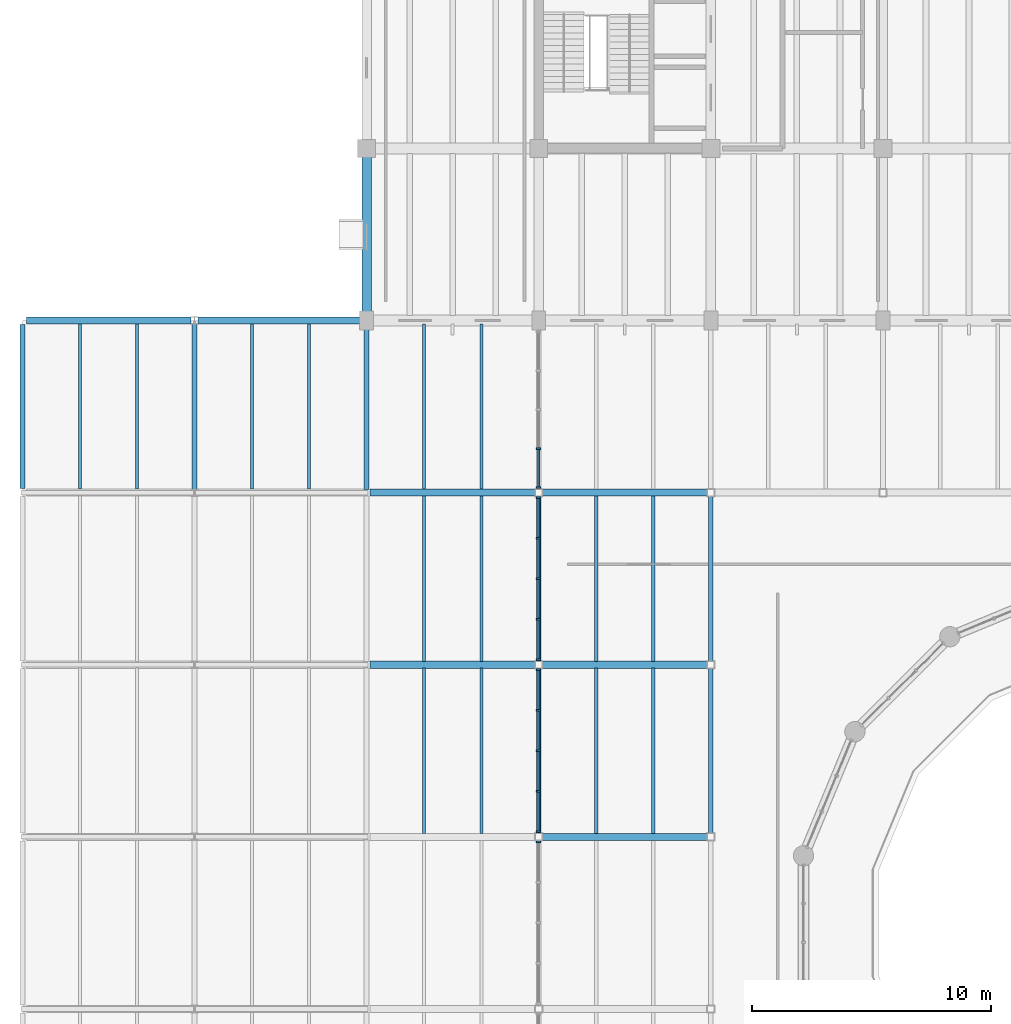
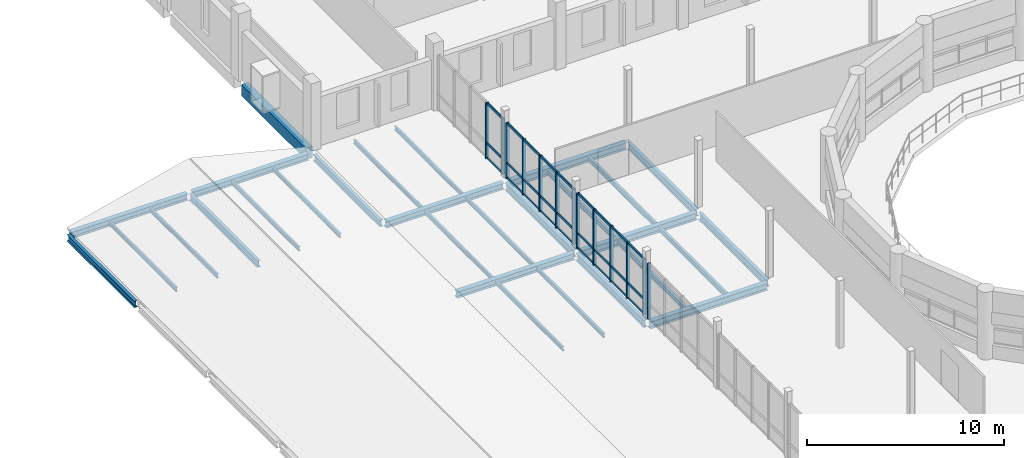
# One storey, part 28 of 63: 40 members, 29 beams, 4 elements without a shape of their own.
"""IFC4 building model written with IfcOpenShell, lengths in metres."""

import ifcopenshell
import ifcopenshell.guid

model = None  # the IFC model being written
_history = None  # IfcOwnerHistory: only IFC2X3 demands one
_inside = {}  # id of a spatial element -> (the spatial element, [elements in it])
_under = {}  # id of a project, library or spatial element -> (it, [spatial elements below it])
_declared = {}  # id of a project -> (the project, [libraries it declares])
_typed = {}  # id of a type object -> (the type object, [elements of that type])
_made_of = {}  # id of a material, layer set ... -> (it, [elements and type objects made of it])


def new_model(schema):
    """Start an empty IFC model of exactly this schema.

    Asked for "IFC4X3", IfcOpenShell would pick the latest addendum, in which some entities
    have other attributes; the version numbers below select the first issue.
    IFC2X3 requires an IfcOwnerHistory on every rooted entity: one is made here for all.
    """
    global model, _history
    if schema == "IFC4X3":
        model = ifcopenshell.file(schema_version=(4, 3, 0, 0))
    else:
        model = ifcopenshell.file(schema=schema)
    _inside.clear()
    _under.clear()
    _declared.clear()
    _typed.clear()
    _made_of.clear()
    _history = None
    if model.schema == "IFC2X3":
        org = make("IfcOrganization", Name="unknown")
        user = make(
            "IfcPersonAndOrganization",
            ThePerson=make("IfcPerson", FamilyName="unknown"),
            TheOrganization=org,
        )
        app = make(
            "IfcApplication",
            ApplicationDeveloper=org,
            Version="unknown",
            ApplicationFullName="unknown",
            ApplicationIdentifier="unknown",
        )
        _history = make(
            "IfcOwnerHistory",
            OwningUser=user,
            OwningApplication=app,
            ChangeAction="ADDED",
            CreationDate=0,
        )
    return model


def make(cls, **values):
    """One entity of the class cls with the attributes given. An attribute that is None is left unset."""
    return model.create_entity(
        cls, **{name: value for name, value in values.items() if value is not None}
    )


def rooted(cls, **values):
    """An entity with a GlobalId (a new one), such as an element, a storey or a relation."""
    return make(cls, GlobalId=ifcopenshell.guid.new(), OwnerHistory=_history, **values)


def si_unit(unit_type, name, prefix=None):
    """IfcSIUnit, for example si_unit("LENGTHUNIT", "METRE", prefix="MILLI")."""
    return make("IfcSIUnit", UnitType=unit_type, Prefix=prefix, Name=name)


def assignment(units):
    """IfcUnitAssignment: the units of a project."""
    return None if units is None else make("IfcUnitAssignment", Units=units)


def point(xyz):
    """IfcCartesianPoint."""
    return None if xyz is None else make("IfcCartesianPoint", Coordinates=xyz)


def direction(xyz):
    """IfcDirection."""
    return None if xyz is None else make("IfcDirection", DirectionRatios=xyz)


def frame(location, z_axis=None, x_axis=None):
    """IfcAxis2Placement3D, a coordinate frame: its origin and axes. An axis left out is left unset."""
    return make(
        "IfcAxis2Placement3D",
        Location=point(location),
        Axis=direction(z_axis),
        RefDirection=direction(x_axis),
    )


def frame_2d(location, x_axis=None):
    """IfcAxis2Placement2D, a coordinate frame in the plane: its origin and x axis."""
    return make(
        "IfcAxis2Placement2D", Location=point(location), RefDirection=direction(x_axis)
    )


def origin():
    """The frame at (0, 0, 0) with its axes left unset."""
    return frame((0.0, 0.0, 0.0))


def origin_2d():
    """The frame at (0, 0) in the plane with its x axis left unset."""
    return frame_2d((0.0, 0.0))


def place(relative_to, where):
    """IfcLocalPlacement: puts the frame where relative to a parent placement (None: the world)."""
    return make(
        "IfcLocalPlacement", PlacementRelTo=relative_to, RelativePlacement=where
    )


def context(
    kind, dimensions, precision=None, world=None, true_north=None, identifier=None
):
    """IfcGeometricRepresentationContext, for example the 3D "Model" context."""
    return make(
        "IfcGeometricRepresentationContext",
        ContextIdentifier=identifier,
        ContextType=kind,
        CoordinateSpaceDimension=dimensions,
        Precision=precision,
        WorldCoordinateSystem=world,
        TrueNorth=true_north,
    )


def subcontext(parent, identifier, kind, view, scale=None):
    """IfcGeometricRepresentationSubContext, for example "Body" below "Model"."""
    return make(
        "IfcGeometricRepresentationSubContext",
        ContextIdentifier=identifier,
        ContextType=kind,
        ParentContext=parent,
        TargetScale=scale,
        TargetView=view,
    )


def project(units=None, contexts=None):
    """IfcProject with its units and contexts."""
    return rooted(
        "IfcProject",
        Name="project",
        RepresentationContexts=contexts,
        UnitsInContext=assignment(units),
    )


def spatial(cls, under=None, at=None, **own):
    """A site, building, storey or space (cls), placed at a placement, below another one or the project."""
    s = rooted(cls, ObjectPlacement=at, **own)
    if under is not None:
        _under.setdefault(under.id(), (under, []))[1].append(s)
    return s


def profile(cls, at=None, kind="AREA", **sizes):
    """A parametric profile (cls). Its sizes go by their IFC names, for example OverallWidth=200.0."""
    return make(cls, ProfileType=kind, Position=at, **sizes)


def rectangle(**sizes):
    """IfcRectangleProfileDef."""
    return profile("IfcRectangleProfileDef", **sizes)


def i_section(**sizes):
    """IfcIShapeProfileDef."""
    return profile("IfcIShapeProfileDef", **sizes)


def extrude(swept, where, along, depth):
    """IfcExtrudedAreaSolid: the profile swept, set in the frame where, extruded along a direction by depth."""
    return make(
        "IfcExtrudedAreaSolid",
        SweptArea=swept,
        Position=where,
        ExtrudedDirection=direction(along),
        Depth=depth,
    )


def shape(context_of_items, identifier, shape_type, items):
    """IfcShapeRepresentation: the items that make up one representation, for example the "Body"."""
    return make(
        "IfcShapeRepresentation",
        ContextOfItems=context_of_items,
        RepresentationIdentifier=identifier,
        RepresentationType=shape_type,
        Items=items,
    )


def material(Name=None, Category=None):
    """IfcMaterial."""
    return make("IfcMaterial", Name=Name, Category=Category)


def material_profile(
    of_material, cross_section, Name=None, Category=None, Priority=None
):
    """IfcMaterialProfile: a cross section and its material."""
    return make(
        "IfcMaterialProfile",
        Name=Name,
        Material=of_material,
        Profile=cross_section,
        Priority=Priority,
        Category=Category,
    )


def profile_set(profiles, Name=None, composite=None):
    """IfcMaterialProfileSet."""
    return make(
        "IfcMaterialProfileSet",
        Name=Name,
        MaterialProfiles=profiles,
        CompositeProfile=composite,
    )


def made_of(thing, what):
    """Note that an element or type object is made of a material, layer set ...; save() writes the relation."""
    if what is not None:
        _made_of.setdefault(what.id(), (what, []))[1].append(thing)
    return thing


def type_object(cls, material=None, **own):
    """A type object (cls), such as IfcWallType, which elements share."""
    return made_of(rooted(cls, **own), material)


def element(
    cls,
    number,
    at=None,
    inside=None,
    cuts=None,
    type_object=None,
    material=None,
    context=None,
    identifier="Body",
    shape_type=None,
    held_by="IfcProductDefinitionShape",
    body=None,
    shapes=None,
    **own,
):
    """One element of the class cls, such as IfcWall. Its Tag is "e" and its number.

    at: its placement. inside: the storey or other place that contains it. cuts: it is an
    opening in that element (IfcRelVoidsElement). A single representation is given by context,
    identifier, shape_type and body (its items); several are given by shapes. held_by: the class
    of the entity that holds the representations. save() writes the other relations.
    """
    e = rooted(cls, Tag="e%d" % number, ObjectPlacement=at, **own)
    if body is not None:
        shapes = [shape(context, identifier, shape_type, body)]
    if shapes is not None:
        e.Representation = make(held_by, Representations=shapes)
    if inside is not None:
        _inside.setdefault(inside.id(), (inside, []))[1].append(e)
    if cuts is not None:
        rooted(
            "IfcRelVoidsElement", RelatingBuildingElement=cuts, RelatedOpeningElement=e
        )
    if type_object is not None:
        _typed.setdefault(type_object.id(), (type_object, []))[1].append(e)
    return made_of(e, material)


def aggregate(whole, parts):
    """IfcRelAggregates: a whole, such as a stair, and the parts it consists of."""
    return rooted("IfcRelAggregates", RelatingObject=whole, RelatedObjects=parts)


def save(model, path):
    """Write the relations noted so far, then the file.

    IfcRelAggregates (storeys below a building ...), IfcRelContainedInSpatialStructure (elements
    in a storey), IfcRelDefinesByType, IfcRelAssociatesMaterial and IfcRelDeclares: one each for
    every whole, place, type object, material and project.
    """
    for whole, parts in _under.values():
        aggregate(whole, parts)
    for where, things in _inside.values():
        rooted(
            "IfcRelContainedInSpatialStructure",
            RelatedElements=things,
            RelatingStructure=where,
        )
    for kind, things in _typed.values():
        rooted("IfcRelDefinesByType", RelatedObjects=things, RelatingType=kind)
    for what, things in _made_of.values():
        rooted("IfcRelAssociatesMaterial", RelatedObjects=things, RelatingMaterial=what)
    for by, libraries in _declared.values():
        rooted("IfcRelDeclares", RelatingContext=by, RelatedDefinitions=libraries)
    model.write(path)


model = new_model("IFC4")

# Units and contexts
model_context = context("Model", 3, precision=1e-05, world=origin(), true_north=direction((0.0, 1.0)))
body_context = subcontext(model_context, "Body", "Model", "MODEL_VIEW")
ifc_project = project(units=[si_unit("LENGTHUNIT", "METRE"), si_unit("AREAUNIT", "SQUARE_METRE"), si_unit("VOLUMEUNIT", "CUBIC_METRE"), si_unit("PLANEANGLEUNIT", "RADIAN"), si_unit("MASSUNIT", "GRAM", prefix="KILO")], contexts=[model_context])

# Site, building, storey
site_placement = place(None, origin())
site = spatial("IfcSite", under=ifc_project, at=site_placement, CompositionType="ELEMENT")
building_placement = place(site_placement, origin())
building = spatial("IfcBuilding", under=site, at=building_placement, Name="Qiaolan Assembly House", CompositionType="ELEMENT")
storey_placement = place(building_placement, frame((0.0, 0.0, 14.39990234375)))
storey = spatial("IfcBuildingStorey", under=building, at=storey_placement, Name="L03", CompositionType="ELEMENT", Elevation=14.39990234375)

# Beams
ifc_material_1 = material(Name="Concrete C40/50", Category="concrete")
ifc_material_profile_1 = material_profile(ifc_material_1, rectangle(XDim=0.39990234375, YDim=0.699951171875, at=origin_2d()), Name="RCB 400x700")
ifc_profile_set_1 = profile_set([ifc_material_profile_1], Name="Concrete C40/50")
beam_type_1 = type_object("IfcBeamType", Name="BM-RC-400x700", PredefinedType="BEAM", material=ifc_profile_set_1)
beam_1_placement = place(storey_placement, frame((36.0, 86.6650390625, -0.579833984375), z_axis=(0.0, 1.0, 0.0), x_axis=(-1.0, 0.0, 0.0)))
element("IfcBeam", 1, at=beam_1_placement, inside=storey, type_object=beam_type_1, Name="GB-05 beam BMY-NW-L03-00-00", PredefinedType="BEAM", context=body_context, shape_type="SweptSolid", body=[
    extrude(rectangle(XDim=0.39990234375, YDim=0.699951171875, at=origin_2d()), origin(), (0.0, 0.0, 1.0), 6.570068359375),
])
ifc_material_2 = material(Name="Steel Q355B", Category="steel")
ifc_material_profile_2 = material_profile(ifc_material_2, i_section(OverallWidth=0.300048828125, OverallDepth=0.389892578125, WebThickness=0.010009765625, FlangeThickness=0.01611328125, FilletRadius=0.01806640625, at=origin_2d()), Name="HM 390x300x10x16")
ifc_profile_set_2 = profile_set([ifc_material_profile_2], Name="Steel Q355B")
beam_type_2 = type_object("IfcBeamType", Name="BM-STL-HM390", PredefinedType="BEAM", material=ifc_profile_set_2)
for number, where, z_axis, x_axis, name in (
    (2, (36.139892578125, 72.0, -0.494873046875), (1.0, 0.0, 0.0), (0.0, 1.0, 0.0), "SB-08 beam BMX-HLWTR-L03-02-05"),
    (3, (36.139892578125, 79.199951171875, -0.494873046875), (1.0, 0.0, 0.0), (0.0, 1.0, 0.0), "SB-08 beam BMX-HLWTR-L03-02-06"),
):
    element("IfcBeam", number, at=place(storey_placement, frame(where, z_axis=z_axis, x_axis=x_axis)), inside=storey, type_object=beam_type_2, Name=name, PredefinedType="BEAM", context=body_context, shape_type="SweptSolid", body=[
        extrude(i_section(OverallWidth=0.300048828125, OverallDepth=0.389892578125, WebThickness=0.010009765625, FlangeThickness=0.01611328125, FilletRadius=0.01806640625, at=origin_2d()), origin(), (0.0, 0.0, 1.0), 6.920166015625),
    ])
beam_2_placement = place(storey_placement, frame((21.764892578125, 86.39990234375, -0.494873046875), z_axis=(1.0, 0.0, 0.0), x_axis=(0.0, 1.0, 0.0)))
element("IfcBeam", 4, at=beam_2_placement, inside=storey, type_object=beam_type_2, Name="SB-08 beam BMX-HLWTR-L03-00-07", PredefinedType="BEAM", context=body_context, shape_type="SweptSolid", body=[
    extrude(i_section(OverallWidth=0.300048828125, OverallDepth=0.389892578125, WebThickness=0.010009765625, FlangeThickness=0.01611328125, FilletRadius=0.01806640625, at=origin_2d()), origin(), (0.0, 0.0, 1.0), 6.89501953125),
])
beam_3_placement = place(storey_placement, frame((28.93994140625, 86.39990234375, -0.494873046875), z_axis=(1.0, 0.0, 0.0), x_axis=(0.0, 1.0, 0.0)))
element("IfcBeam", 5, at=beam_3_placement, inside=storey, type_object=beam_type_2, Name="SB-08 beam BMX-HLWTR-L03-01-07", PredefinedType="BEAM", context=body_context, shape_type="SweptSolid", body=[
    extrude(i_section(OverallWidth=0.300048828125, OverallDepth=0.389892578125, WebThickness=0.010009765625, FlangeThickness=0.01611328125, FilletRadius=0.01806640625, at=origin_2d()), origin(), (0.0, 0.0, 1.0), 6.795166015625),
])
ifc_material_profile_3 = material_profile(ifc_material_2, i_section(OverallWidth=0.300048828125, OverallDepth=0.43994140625, WebThickness=0.010986328125, FlangeThickness=0.01806640625, FilletRadius=0.02001953125, at=origin_2d()), Name="HM 440x300x11x18")
ifc_profile_set_3 = profile_set([ifc_material_profile_3], Name="Steel Q355B")
beam_type_3 = type_object("IfcBeamType", Name="BM-STL-HM440", PredefinedType="BEAM", material=ifc_profile_set_3)
for number, where, z_axis, x_axis, name in (
    (6, (43.340087890625, 64.800048828125, -0.52001953125), (1.0, 0.0, 0.0), (0.0, 1.0, 0.0), "SB-06 beam BMX-HLC-L03-00-04"),
    (7, (43.340087890625, 72.0, -0.52001953125), (1.0, 0.0, 0.0), (0.0, 1.0, 0.0), "SB-06 beam BMX-HLC-L03-00-05"),
    (8, (43.340087890625, 79.199951171875, -0.52001953125), (1.0, 0.0, 0.0), (0.0, 1.0, 0.0), "SB-06 beam BMX-HLC-L03-00-06"),
):
    element("IfcBeam", number, at=place(storey_placement, frame(where, z_axis=z_axis, x_axis=x_axis)), inside=storey, type_object=beam_type_3, Name=name, PredefinedType="BEAM", context=body_context, shape_type="SweptSolid", body=[
        extrude(i_section(OverallWidth=0.300048828125, OverallDepth=0.43994140625, WebThickness=0.010986328125, FlangeThickness=0.01806640625, FilletRadius=0.02001953125, at=origin_2d()), origin(), (0.0, 0.0, 1.0), 6.919921875),
    ])
ifc_material_profile_4 = material_profile(ifc_material_2, i_section(OverallWidth=0.199951171875, OverallDepth=0.39990234375, WebThickness=0.008056640625, FlangeThickness=0.012939453125, FilletRadius=0.01611328125, at=origin_2d()), Name="HN 400x200x8x13")
ifc_profile_set_4 = profile_set([ifc_material_profile_4], Name="Steel Q355B")
beam_type_4 = type_object("IfcBeamType", Name="BM-STL-HN400", PredefinedType="BEAM", material=ifc_profile_set_4)
beam_4_placement = place(storey_placement, frame((21.60009765625, 79.364990234375, -0.5), z_axis=(0.0, 1.0, 0.0), x_axis=(-1.0, 0.0, 0.0)))
element("IfcBeam", 9, at=beam_4_placement, inside=storey, type_object=beam_type_4, Name="SB-09 beam BMY-HLWTR-L03-00-06", PredefinedType="BEAM", context=body_context, shape_type="SweptSolid", body=[
    extrude(i_section(OverallWidth=0.199951171875, OverallDepth=0.39990234375, WebThickness=0.008056640625, FlangeThickness=0.012939453125, FilletRadius=0.01611328125, at=origin_2d()), origin(), (0.0, 0.0, 1.0), 6.8701171875),
])
beam_5_placement = place(storey_placement, frame((28.800048828125, 79.340087890625, -0.5), z_axis=(0.0, 1.0, 0.0), x_axis=(-1.0, 0.0, 0.0)))
element("IfcBeam", 10, at=beam_5_placement, inside=storey, type_object=beam_type_4, Name="SB-09 beam BMY-HLWTR-L03-01-06", PredefinedType="BEAM", context=body_context, shape_type="SweptSolid", body=[
    extrude(i_section(OverallWidth=0.199951171875, OverallDepth=0.39990234375, WebThickness=0.008056640625, FlangeThickness=0.012939453125, FilletRadius=0.01611328125, at=origin_2d()), origin(), (0.0, 0.0, 1.0), 6.919921875),
])
beam_6_placement = place(storey_placement, frame((36.0, 79.340087890625, -0.5), z_axis=(0.0, 1.0, 0.0), x_axis=(-1.0, 0.0, 0.0)))
element("IfcBeam", 11, at=beam_6_placement, inside=storey, type_object=beam_type_4, Name="SB-09 beam BMY-HLWTR-L03-02-06", PredefinedType="BEAM", context=body_context, shape_type="SweptSolid", body=[
    extrude(i_section(OverallWidth=0.199951171875, OverallDepth=0.39990234375, WebThickness=0.008056640625, FlangeThickness=0.012939453125, FilletRadius=0.01611328125, at=origin_2d()), origin(), (0.0, 0.0, 1.0), 6.794921875),
])
ifc_material_profile_5 = material_profile(ifc_material_2, i_section(OverallWidth=0.199951171875, OverallDepth=0.449951171875, WebThickness=0.009033203125, FlangeThickness=0.013916015625, FilletRadius=0.01611328125, at=origin_2d()), Name="HN 450x200x9x14")
ifc_profile_set_5 = profile_set([ifc_material_profile_5], Name="Steel Q355B")
beam_type_5 = type_object("IfcBeamType", Name="BM-STL-HN450", PredefinedType="BEAM", material=ifc_profile_set_5)
for number, where, z_axis, x_axis, name in (
    (12, (43.199951171875, 64.93994140625, -0.52490234375), (0.0, 1.0, 0.0), (-1.0, 0.0, 0.0), "SB-07 beam BMY-HLC-L03-00-04"),
    (13, (43.199951171875, 72.139892578125, -0.52490234375), (0.0, 1.0, 0.0), (-1.0, 0.0, 0.0), "SB-07 beam BMY-HLC-L03-00-05"),
    (14, (50.39990234375, 64.93994140625, -0.52490234375), (0.0, 1.0, 0.0), (-1.0, 0.0, 0.0), "SB-07 beam BMY-HLC-L03-01-04"),
    (15, (50.39990234375, 72.139892578125, -0.52490234375), (0.0, 1.0, 0.0), (-1.0, 0.0, 0.0), "SB-07 beam BMY-HLC-L03-01-05"),
):
    element("IfcBeam", number, at=place(storey_placement, frame(where, z_axis=z_axis, x_axis=x_axis)), inside=storey, type_object=beam_type_5, Name=name, PredefinedType="BEAM", context=body_context, shape_type="SweptSolid", body=[
        extrude(i_section(OverallWidth=0.199951171875, OverallDepth=0.449951171875, WebThickness=0.009033203125, FlangeThickness=0.013916015625, FilletRadius=0.01611328125, at=origin_2d()), origin(), (0.0, 0.0, 1.0), 6.920166015625),
    ])

# Curtain wall, member
ifc_material_3 = material(Name="Anodised bronze aluminium", Category="aluminium")
curtain_wall_type = type_object("IfcCurtainWallType", Name="CW-HALL-CONC-420", PredefinedType="NOTDEFINED", material=ifc_material_3)
curtain_wall_1_placement = place(storey_placement, origin())
curtain_wall_1 = element("IfcCurtainWall", 16, at=curtain_wall_1_placement, inside=storey, type_object=curtain_wall_type, Name="CW-07 L03 Concourse West CW 4", PredefinedType="NOTDEFINED")
ifc_material_profile_6 = material_profile(ifc_material_3, rectangle(XDim=0.08203125, YDim=0.18994140625, at=origin_2d()), Name="MUL 82x190")
ifc_profile_set_6 = profile_set([ifc_material_profile_6], Name="Anodised bronze aluminium")
member_type_1 = type_object("IfcMemberType", Name="CW-HALL-CONC-420-MUL", PredefinedType="MULLION", material=ifc_profile_set_6)
member_1_placement = place(storey_placement, frame((43.199951171875, 64.590087890625, 0.0), z_axis=(0.0, 0.0, 1.0), x_axis=(0.0, 1.0, 0.0)))
member_1 = element("IfcMember", 17, at=member_1_placement, type_object=member_type_1, Name="ML-03 mullion CW-HLC-W-03-5", PredefinedType="MULLION", context=body_context, shape_type="SweptSolid", body=[
    extrude(rectangle(XDim=0.08203125, YDim=0.18994140625, at=origin_2d()), origin(), (0.0, 0.0, 1.0), 3.4501953125),
])
aggregate(curtain_wall_1, [member_1])

# Curtain wall, members
curtain_wall_2_placement = place(storey_placement, origin())
curtain_wall_2 = element("IfcCurtainWall", 18, at=curtain_wall_2_placement, inside=storey, type_object=curtain_wall_type, Name="CW-07 L03 Concourse West CW 5", PredefinedType="NOTDEFINED")
member_2_placement = place(storey_placement, frame((43.199951171875, 65.010009765625, 0.0), z_axis=(0.0, 0.0, 1.0), x_axis=(0.0, 1.0, 0.0)))
member_2 = element("IfcMember", 19, at=member_2_placement, type_object=member_type_1, Name="ML-03 mullion CW-HLC-W-04-1", PredefinedType="MULLION", context=body_context, shape_type="SweptSolid", body=[
    extrude(rectangle(XDim=0.08203125, YDim=0.18994140625, at=origin_2d()), origin(), (0.0, 0.0, 1.0), 3.4501953125),
])
member_3_placement = place(storey_placement, frame((43.199951171875, 66.705078125, 0.0), z_axis=(0.0, 0.0, 1.0), x_axis=(0.0, 1.0, 0.0)))
member_3 = element("IfcMember", 20, at=member_3_placement, type_object=member_type_1, Name="ML-03 mullion CW-HLC-W-04-2", PredefinedType="MULLION", context=body_context, shape_type="SweptSolid", body=[
    extrude(rectangle(XDim=0.08203125, YDim=0.18994140625, at=origin_2d()), origin(), (0.0, 0.0, 1.0), 3.4501953125),
])
member_4_placement = place(storey_placement, frame((43.199951171875, 68.39990234375, 0.0), z_axis=(0.0, 0.0, 1.0), x_axis=(0.0, 1.0, 0.0)))
member_4 = element("IfcMember", 21, at=member_4_placement, type_object=member_type_1, Name="ML-03 mullion CW-HLC-W-04-3", PredefinedType="MULLION", context=body_context, shape_type="SweptSolid", body=[
    extrude(rectangle(XDim=0.08203125, YDim=0.18994140625, at=origin_2d()), origin(), (0.0, 0.0, 1.0), 3.4501953125),
])
member_5_placement = place(storey_placement, frame((43.199951171875, 70.094970703125, 0.0), z_axis=(0.0, 0.0, 1.0), x_axis=(0.0, 1.0, 0.0)))
member_5 = element("IfcMember", 22, at=member_5_placement, type_object=member_type_1, Name="ML-03 mullion CW-HLC-W-04-4", PredefinedType="MULLION", context=body_context, shape_type="SweptSolid", body=[
    extrude(rectangle(XDim=0.08203125, YDim=0.18994140625, at=origin_2d()), origin(), (0.0, 0.0, 1.0), 3.4501953125),
])
member_6_placement = place(storey_placement, frame((43.199951171875, 71.7900390625, 0.0), z_axis=(0.0, 0.0, 1.0), x_axis=(0.0, 1.0, 0.0)))
member_6 = element("IfcMember", 23, at=member_6_placement, type_object=member_type_1, Name="ML-03 mullion CW-HLC-W-04-5", PredefinedType="MULLION", context=body_context, shape_type="SweptSolid", body=[
    extrude(rectangle(XDim=0.08203125, YDim=0.18994140625, at=origin_2d()), origin(), (0.0, 0.0, 1.0), 3.4501953125),
])

curtain_wall_3_placement = place(storey_placement, origin())
curtain_wall_3 = element("IfcCurtainWall", 24, at=curtain_wall_3_placement, inside=storey, type_object=curtain_wall_type, Name="CW-07 L03 Concourse West CW 6", PredefinedType="NOTDEFINED")
member_7_placement = place(storey_placement, frame((43.199951171875, 72.2099609375, 0.0), z_axis=(0.0, 0.0, 1.0), x_axis=(0.0, 1.0, 0.0)))
member_7 = element("IfcMember", 25, at=member_7_placement, type_object=member_type_1, Name="ML-03 mullion CW-HLC-W-05-1", PredefinedType="MULLION", context=body_context, shape_type="SweptSolid", body=[
    extrude(rectangle(XDim=0.08203125, YDim=0.18994140625, at=origin_2d()), origin(), (0.0, 0.0, 1.0), 3.4501953125),
])
member_8_placement = place(storey_placement, frame((43.199951171875, 73.905029296875, 0.0), z_axis=(0.0, 0.0, 1.0), x_axis=(0.0, 1.0, 0.0)))
member_8 = element("IfcMember", 26, at=member_8_placement, type_object=member_type_1, Name="ML-03 mullion CW-HLC-W-05-2", PredefinedType="MULLION", context=body_context, shape_type="SweptSolid", body=[
    extrude(rectangle(XDim=0.08203125, YDim=0.18994140625, at=origin_2d()), origin(), (0.0, 0.0, 1.0), 3.4501953125),
])
member_9_placement = place(storey_placement, frame((43.199951171875, 75.60009765625, 0.0), z_axis=(0.0, 0.0, 1.0), x_axis=(0.0, 1.0, 0.0)))
member_9 = element("IfcMember", 27, at=member_9_placement, type_object=member_type_1, Name="ML-03 mullion CW-HLC-W-05-3", PredefinedType="MULLION", context=body_context, shape_type="SweptSolid", body=[
    extrude(rectangle(XDim=0.08203125, YDim=0.18994140625, at=origin_2d()), origin(), (0.0, 0.0, 1.0), 3.4501953125),
])
member_10_placement = place(storey_placement, frame((43.199951171875, 77.294921875, 0.0), z_axis=(0.0, 0.0, 1.0), x_axis=(0.0, 1.0, 0.0)))
member_10 = element("IfcMember", 28, at=member_10_placement, type_object=member_type_1, Name="ML-03 mullion CW-HLC-W-05-4", PredefinedType="MULLION", context=body_context, shape_type="SweptSolid", body=[
    extrude(rectangle(XDim=0.08203125, YDim=0.18994140625, at=origin_2d()), origin(), (0.0, 0.0, 1.0), 3.4501953125),
])
member_11_placement = place(storey_placement, frame((43.199951171875, 78.989990234375, 0.0), z_axis=(0.0, 0.0, 1.0), x_axis=(0.0, 1.0, 0.0)))
member_11 = element("IfcMember", 29, at=member_11_placement, type_object=member_type_1, Name="ML-03 mullion CW-HLC-W-05-5", PredefinedType="MULLION", context=body_context, shape_type="SweptSolid", body=[
    extrude(rectangle(XDim=0.08203125, YDim=0.18994140625, at=origin_2d()), origin(), (0.0, 0.0, 1.0), 3.4501953125),
])

curtain_wall_4_placement = place(storey_placement, origin())
curtain_wall_4 = element("IfcCurtainWall", 30, at=curtain_wall_4_placement, inside=storey, type_object=curtain_wall_type, Name="CW-07 L03 Concourse West CW 7", PredefinedType="NOTDEFINED")
member_12_placement = place(storey_placement, frame((43.199951171875, 79.409912109375, 0.0), z_axis=(0.0, 0.0, 1.0), x_axis=(0.0, 1.0, 0.0)))
member_12 = element("IfcMember", 31, at=member_12_placement, type_object=member_type_1, Name="ML-03 mullion CW-HLC-W-06-1", PredefinedType="MULLION", context=body_context, shape_type="SweptSolid", body=[
    extrude(rectangle(XDim=0.08203125, YDim=0.18994140625, at=origin_2d()), origin(), (0.0, 0.0, 1.0), 3.4501953125),
])
member_13_placement = place(storey_placement, frame((43.199951171875, 81.03759765625, 0.0), z_axis=(0.0, 0.0, 1.0), x_axis=(0.0, 1.0, 0.0)))
member_13 = element("IfcMember", 32, at=member_13_placement, type_object=member_type_1, Name="ML-03 mullion CW-HLC-W-06-2", PredefinedType="MULLION", context=body_context, shape_type="SweptSolid", body=[
    extrude(rectangle(XDim=0.08203125, YDim=0.18994140625, at=origin_2d()), origin(), (0.0, 0.0, 1.0), 3.4501953125),
])

# Member
ifc_material_profile_7 = material_profile(ifc_material_3, rectangle(XDim=0.072021484375, YDim=0.14501953125, at=origin_2d()), Name="TRN 72x145")
ifc_profile_set_7 = profile_set([ifc_material_profile_7], Name="Anodised bronze aluminium")
member_type_2 = type_object("IfcMemberType", Name="CW-HALL-CONC-420-TRN", PredefinedType="USERDEFINED", material=ifc_profile_set_7)
member_14_placement = place(storey_placement, frame((43.199951171875, 65.051025390625, 0.030029296875), z_axis=(0.0, 1.0, 0.0), x_axis=(-1.0, 0.0, 0.0)))
member_14 = element("IfcMember", 33, at=member_14_placement, type_object=member_type_2, Name="TR-03 transom CW-HLC-W-04-1-1", ObjectType="TRANSOM", PredefinedType="USERDEFINED", context=body_context, shape_type="SweptSolid", body=[
    extrude(rectangle(XDim=0.072021484375, YDim=0.14501953125, at=origin_2d()), origin(), (0.0, 0.0, 1.0), 1.613037109375),
])

member_15_placement = place(storey_placement, frame((43.199951171875, 65.051025390625, 0.9501953125), z_axis=(0.0, 1.0, 0.0), x_axis=(-1.0, 0.0, 0.0)))
member_15 = element("IfcMember", 34, at=member_15_placement, type_object=member_type_2, Name="TR-03 transom CW-HLC-W-04-1-2", ObjectType="TRANSOM", PredefinedType="USERDEFINED", context=body_context, shape_type="SweptSolid", body=[
    extrude(rectangle(XDim=0.072021484375, YDim=0.14501953125, at=origin_2d()), origin(), (0.0, 0.0, 1.0), 1.613037109375),
])

member_16_placement = place(storey_placement, frame((43.199951171875, 65.051025390625, 3.420166015625), z_axis=(0.0, 1.0, 0.0), x_axis=(-1.0, 0.0, 0.0)))
member_16 = element("IfcMember", 35, at=member_16_placement, type_object=member_type_2, Name="TR-03 transom CW-HLC-W-04-1-3", ObjectType="TRANSOM", PredefinedType="USERDEFINED", context=body_context, shape_type="SweptSolid", body=[
    extrude(rectangle(XDim=0.072021484375, YDim=0.14501953125, at=origin_2d()), origin(), (0.0, 0.0, 1.0), 1.613037109375),
])

member_17_placement = place(storey_placement, frame((43.199951171875, 66.74609375, 0.030029296875), z_axis=(0.0, 1.0, 0.0), x_axis=(-1.0, 0.0, 0.0)))
member_17 = element("IfcMember", 36, at=member_17_placement, type_object=member_type_2, Name="TR-03 transom CW-HLC-W-04-2-1", ObjectType="TRANSOM", PredefinedType="USERDEFINED", context=body_context, shape_type="SweptSolid", body=[
    extrude(rectangle(XDim=0.072021484375, YDim=0.14501953125, at=origin_2d()), origin(), (0.0, 0.0, 1.0), 1.61279296875),
])

member_18_placement = place(storey_placement, frame((43.199951171875, 66.74609375, 0.9501953125), z_axis=(0.0, 1.0, 0.0), x_axis=(-1.0, 0.0, 0.0)))
member_18 = element("IfcMember", 37, at=member_18_placement, type_object=member_type_2, Name="TR-03 transom CW-HLC-W-04-2-2", ObjectType="TRANSOM", PredefinedType="USERDEFINED", context=body_context, shape_type="SweptSolid", body=[
    extrude(rectangle(XDim=0.072021484375, YDim=0.14501953125, at=origin_2d()), origin(), (0.0, 0.0, 1.0), 1.61279296875),
])

member_19_placement = place(storey_placement, frame((43.199951171875, 66.74609375, 3.420166015625), z_axis=(0.0, 1.0, 0.0), x_axis=(-1.0, 0.0, 0.0)))
member_19 = element("IfcMember", 38, at=member_19_placement, type_object=member_type_2, Name="TR-03 transom CW-HLC-W-04-2-3", ObjectType="TRANSOM", PredefinedType="USERDEFINED", context=body_context, shape_type="SweptSolid", body=[
    extrude(rectangle(XDim=0.072021484375, YDim=0.14501953125, at=origin_2d()), origin(), (0.0, 0.0, 1.0), 1.61279296875),
])

member_20_placement = place(storey_placement, frame((43.199951171875, 68.44091796875, 0.030029296875), z_axis=(0.0, 1.0, 0.0), x_axis=(-1.0, 0.0, 0.0)))
member_20 = element("IfcMember", 39, at=member_20_placement, type_object=member_type_2, Name="TR-03 transom CW-HLC-W-04-3-1", ObjectType="TRANSOM", PredefinedType="USERDEFINED", context=body_context, shape_type="SweptSolid", body=[
    extrude(rectangle(XDim=0.072021484375, YDim=0.14501953125, at=origin_2d()), origin(), (0.0, 0.0, 1.0), 1.613037109375),
])

member_21_placement = place(storey_placement, frame((43.199951171875, 68.44091796875, 0.9501953125), z_axis=(0.0, 1.0, 0.0), x_axis=(-1.0, 0.0, 0.0)))
member_21 = element("IfcMember", 40, at=member_21_placement, type_object=member_type_2, Name="TR-03 transom CW-HLC-W-04-3-2", ObjectType="TRANSOM", PredefinedType="USERDEFINED", context=body_context, shape_type="SweptSolid", body=[
    extrude(rectangle(XDim=0.072021484375, YDim=0.14501953125, at=origin_2d()), origin(), (0.0, 0.0, 1.0), 1.613037109375),
])

member_22_placement = place(storey_placement, frame((43.199951171875, 68.44091796875, 3.420166015625), z_axis=(0.0, 1.0, 0.0), x_axis=(-1.0, 0.0, 0.0)))
member_22 = element("IfcMember", 41, at=member_22_placement, type_object=member_type_2, Name="TR-03 transom CW-HLC-W-04-3-3", ObjectType="TRANSOM", PredefinedType="USERDEFINED", context=body_context, shape_type="SweptSolid", body=[
    extrude(rectangle(XDim=0.072021484375, YDim=0.14501953125, at=origin_2d()), origin(), (0.0, 0.0, 1.0), 1.613037109375),
])

member_23_placement = place(storey_placement, frame((43.199951171875, 70.135986328125, 0.030029296875), z_axis=(0.0, 1.0, 0.0), x_axis=(-1.0, 0.0, 0.0)))
member_23 = element("IfcMember", 42, at=member_23_placement, type_object=member_type_2, Name="TR-03 transom CW-HLC-W-04-4-1", ObjectType="TRANSOM", PredefinedType="USERDEFINED", context=body_context, shape_type="SweptSolid", body=[
    extrude(rectangle(XDim=0.072021484375, YDim=0.14501953125, at=origin_2d()), origin(), (0.0, 0.0, 1.0), 1.613037109375),
])

member_24_placement = place(storey_placement, frame((43.199951171875, 70.135986328125, 0.9501953125), z_axis=(0.0, 1.0, 0.0), x_axis=(-1.0, 0.0, 0.0)))
member_24 = element("IfcMember", 43, at=member_24_placement, type_object=member_type_2, Name="TR-03 transom CW-HLC-W-04-4-2", ObjectType="TRANSOM", PredefinedType="USERDEFINED", context=body_context, shape_type="SweptSolid", body=[
    extrude(rectangle(XDim=0.072021484375, YDim=0.14501953125, at=origin_2d()), origin(), (0.0, 0.0, 1.0), 1.613037109375),
])

member_25_placement = place(storey_placement, frame((43.199951171875, 70.135986328125, 3.420166015625), z_axis=(0.0, 1.0, 0.0), x_axis=(-1.0, 0.0, 0.0)))
member_25 = element("IfcMember", 44, at=member_25_placement, type_object=member_type_2, Name="TR-03 transom CW-HLC-W-04-4-3", ObjectType="TRANSOM", PredefinedType="USERDEFINED", context=body_context, shape_type="SweptSolid", body=[
    extrude(rectangle(XDim=0.072021484375, YDim=0.14501953125, at=origin_2d()), origin(), (0.0, 0.0, 1.0), 1.613037109375),
])

aggregate(curtain_wall_2, [member_2, member_3, member_4, member_5, member_6, member_14, member_15, member_16, member_17, member_18, member_19, member_20, member_21, member_22, member_23, member_24, member_25])

member_26_placement = place(storey_placement, frame((43.199951171875, 72.2509765625, 0.030029296875), z_axis=(0.0, 1.0, 0.0), x_axis=(-1.0, 0.0, 0.0)))
member_26 = element("IfcMember", 45, at=member_26_placement, type_object=member_type_2, Name="TR-03 transom CW-HLC-W-05-1-1", ObjectType="TRANSOM", PredefinedType="USERDEFINED", context=body_context, shape_type="SweptSolid", body=[
    extrude(rectangle(XDim=0.072021484375, YDim=0.14501953125, at=origin_2d()), origin(), (0.0, 0.0, 1.0), 1.613037109375),
])

member_27_placement = place(storey_placement, frame((43.199951171875, 72.2509765625, 0.9501953125), z_axis=(0.0, 1.0, 0.0), x_axis=(-1.0, 0.0, 0.0)))
member_27 = element("IfcMember", 46, at=member_27_placement, type_object=member_type_2, Name="TR-03 transom CW-HLC-W-05-1-2", ObjectType="TRANSOM", PredefinedType="USERDEFINED", context=body_context, shape_type="SweptSolid", body=[
    extrude(rectangle(XDim=0.072021484375, YDim=0.14501953125, at=origin_2d()), origin(), (0.0, 0.0, 1.0), 1.613037109375),
])

member_28_placement = place(storey_placement, frame((43.199951171875, 72.2509765625, 3.420166015625), z_axis=(0.0, 1.0, 0.0), x_axis=(-1.0, 0.0, 0.0)))
member_28 = element("IfcMember", 47, at=member_28_placement, type_object=member_type_2, Name="TR-03 transom CW-HLC-W-05-1-3", ObjectType="TRANSOM", PredefinedType="USERDEFINED", context=body_context, shape_type="SweptSolid", body=[
    extrude(rectangle(XDim=0.072021484375, YDim=0.14501953125, at=origin_2d()), origin(), (0.0, 0.0, 1.0), 1.613037109375),
])

member_29_placement = place(storey_placement, frame((43.199951171875, 73.946044921875, 0.030029296875), z_axis=(0.0, 1.0, 0.0), x_axis=(-1.0, 0.0, 0.0)))
member_29 = element("IfcMember", 48, at=member_29_placement, type_object=member_type_2, Name="TR-03 transom CW-HLC-W-05-2-1", ObjectType="TRANSOM", PredefinedType="USERDEFINED", context=body_context, shape_type="SweptSolid", body=[
    extrude(rectangle(XDim=0.072021484375, YDim=0.14501953125, at=origin_2d()), origin(), (0.0, 0.0, 1.0), 1.613037109375),
])

member_30_placement = place(storey_placement, frame((43.199951171875, 73.946044921875, 0.9501953125), z_axis=(0.0, 1.0, 0.0), x_axis=(-1.0, 0.0, 0.0)))
member_30 = element("IfcMember", 49, at=member_30_placement, type_object=member_type_2, Name="TR-03 transom CW-HLC-W-05-2-2", ObjectType="TRANSOM", PredefinedType="USERDEFINED", context=body_context, shape_type="SweptSolid", body=[
    extrude(rectangle(XDim=0.072021484375, YDim=0.14501953125, at=origin_2d()), origin(), (0.0, 0.0, 1.0), 1.613037109375),
])

member_31_placement = place(storey_placement, frame((43.199951171875, 73.946044921875, 3.420166015625), z_axis=(0.0, 1.0, 0.0), x_axis=(-1.0, 0.0, 0.0)))
member_31 = element("IfcMember", 50, at=member_31_placement, type_object=member_type_2, Name="TR-03 transom CW-HLC-W-05-2-3", ObjectType="TRANSOM", PredefinedType="USERDEFINED", context=body_context, shape_type="SweptSolid", body=[
    extrude(rectangle(XDim=0.072021484375, YDim=0.14501953125, at=origin_2d()), origin(), (0.0, 0.0, 1.0), 1.613037109375),
])

member_32_placement = place(storey_placement, frame((43.199951171875, 75.64111328125, 0.030029296875), z_axis=(0.0, 1.0, 0.0), x_axis=(-1.0, 0.0, 0.0)))
member_32 = element("IfcMember", 51, at=member_32_placement, type_object=member_type_2, Name="TR-03 transom CW-HLC-W-05-3-1", ObjectType="TRANSOM", PredefinedType="USERDEFINED", context=body_context, shape_type="SweptSolid", body=[
    extrude(rectangle(XDim=0.072021484375, YDim=0.14501953125, at=origin_2d()), origin(), (0.0, 0.0, 1.0), 1.61279296875),
])

member_33_placement = place(storey_placement, frame((43.199951171875, 75.64111328125, 0.9501953125), z_axis=(0.0, 1.0, 0.0), x_axis=(-1.0, 0.0, 0.0)))
member_33 = element("IfcMember", 52, at=member_33_placement, type_object=member_type_2, Name="TR-03 transom CW-HLC-W-05-3-2", ObjectType="TRANSOM", PredefinedType="USERDEFINED", context=body_context, shape_type="SweptSolid", body=[
    extrude(rectangle(XDim=0.072021484375, YDim=0.14501953125, at=origin_2d()), origin(), (0.0, 0.0, 1.0), 1.61279296875),
])

member_34_placement = place(storey_placement, frame((43.199951171875, 75.64111328125, 3.420166015625), z_axis=(0.0, 1.0, 0.0), x_axis=(-1.0, 0.0, 0.0)))
member_34 = element("IfcMember", 53, at=member_34_placement, type_object=member_type_2, Name="TR-03 transom CW-HLC-W-05-3-3", ObjectType="TRANSOM", PredefinedType="USERDEFINED", context=body_context, shape_type="SweptSolid", body=[
    extrude(rectangle(XDim=0.072021484375, YDim=0.14501953125, at=origin_2d()), origin(), (0.0, 0.0, 1.0), 1.61279296875),
])

member_35_placement = place(storey_placement, frame((43.199951171875, 77.3359375, 0.030029296875), z_axis=(0.0, 1.0, 0.0), x_axis=(-1.0, 0.0, 0.0)))
member_35 = element("IfcMember", 54, at=member_35_placement, type_object=member_type_2, Name="TR-03 transom CW-HLC-W-05-4-1", ObjectType="TRANSOM", PredefinedType="USERDEFINED", context=body_context, shape_type="SweptSolid", body=[
    extrude(rectangle(XDim=0.072021484375, YDim=0.14501953125, at=origin_2d()), origin(), (0.0, 0.0, 1.0), 1.613037109375),
])

member_36_placement = place(storey_placement, frame((43.199951171875, 77.3359375, 0.9501953125), z_axis=(0.0, 1.0, 0.0), x_axis=(-1.0, 0.0, 0.0)))
member_36 = element("IfcMember", 55, at=member_36_placement, type_object=member_type_2, Name="TR-03 transom CW-HLC-W-05-4-2", ObjectType="TRANSOM", PredefinedType="USERDEFINED", context=body_context, shape_type="SweptSolid", body=[
    extrude(rectangle(XDim=0.072021484375, YDim=0.14501953125, at=origin_2d()), origin(), (0.0, 0.0, 1.0), 1.613037109375),
])

member_37_placement = place(storey_placement, frame((43.199951171875, 77.3359375, 3.420166015625), z_axis=(0.0, 1.0, 0.0), x_axis=(-1.0, 0.0, 0.0)))
member_37 = element("IfcMember", 56, at=member_37_placement, type_object=member_type_2, Name="TR-03 transom CW-HLC-W-05-4-3", ObjectType="TRANSOM", PredefinedType="USERDEFINED", context=body_context, shape_type="SweptSolid", body=[
    extrude(rectangle(XDim=0.072021484375, YDim=0.14501953125, at=origin_2d()), origin(), (0.0, 0.0, 1.0), 1.613037109375),
])

aggregate(curtain_wall_3, [member_7, member_8, member_9, member_10, member_11, member_26, member_27, member_28, member_29, member_30, member_31, member_32, member_33, member_34, member_35, member_36, member_37])

member_38_placement = place(storey_placement, frame((43.199951171875, 79.450927734375, 0.030029296875), z_axis=(0.0, 1.0, 0.0), x_axis=(-1.0, 0.0, 0.0)))
member_38 = element("IfcMember", 57, at=member_38_placement, type_object=member_type_2, Name="TR-03 transom CW-HLC-W-06-1-1", ObjectType="TRANSOM", PredefinedType="USERDEFINED", context=body_context, shape_type="SweptSolid", body=[
    extrude(rectangle(XDim=0.072021484375, YDim=0.14501953125, at=origin_2d()), origin(), (0.0, 0.0, 1.0), 1.545654296875),
])

member_39_placement = place(storey_placement, frame((43.199951171875, 79.450927734375, 0.9501953125), z_axis=(0.0, 1.0, 0.0), x_axis=(-1.0, 0.0, 0.0)))
member_39 = element("IfcMember", 58, at=member_39_placement, type_object=member_type_2, Name="TR-03 transom CW-HLC-W-06-1-2", ObjectType="TRANSOM", PredefinedType="USERDEFINED", context=body_context, shape_type="SweptSolid", body=[
    extrude(rectangle(XDim=0.072021484375, YDim=0.14501953125, at=origin_2d()), origin(), (0.0, 0.0, 1.0), 1.545654296875),
])

member_40_placement = place(storey_placement, frame((43.199951171875, 79.450927734375, 3.420166015625), z_axis=(0.0, 1.0, 0.0), x_axis=(-1.0, 0.0, 0.0)))
member_40 = element("IfcMember", 59, at=member_40_placement, type_object=member_type_2, Name="TR-03 transom CW-HLC-W-06-1-3", ObjectType="TRANSOM", PredefinedType="USERDEFINED", context=body_context, shape_type="SweptSolid", body=[
    extrude(rectangle(XDim=0.072021484375, YDim=0.14501953125, at=origin_2d()), origin(), (0.0, 0.0, 1.0), 1.545654296875),
])

aggregate(curtain_wall_4, [member_12, member_13, member_38, member_39, member_40])

# Beams
ifc_material_profile_8 = material_profile(ifc_material_2, i_section(OverallWidth=0.125, OverallDepth=0.25, WebThickness=0.006103515625, FlangeThickness=0.009033203125, FilletRadius=0.011962890625, at=origin_2d()), Name="HN 250x125x6x9")
ifc_profile_set_8 = profile_set([ifc_material_profile_8], Name="Steel Q355B")
beam_type_6 = type_object("IfcBeamType", Name="JST-STL-HN250", PredefinedType="JOIST", material=ifc_profile_set_8)
for number, where, z_axis, x_axis, name in (
    (60, (24.0, 79.343994140625, -0.4248046875), (0.0, 1.0, 0.0), (-1.0, 0.0, 0.0), "SJ-03 beam JST-HLWTR-L03-00-06-1"),
    (61, (26.39990234375, 79.343994140625, -0.4248046875), (0.0, 1.0, 0.0), (-1.0, 0.0, 0.0), "SJ-03 beam JST-HLWTR-L03-00-06-2"),
    (62, (31.199951171875, 79.343994140625, -0.4248046875), (0.0, 1.0, 0.0), (-1.0, 0.0, 0.0), "SJ-03 beam JST-HLWTR-L03-01-06-1"),
    (63, (33.60009765625, 79.343994140625, -0.4248046875), (0.0, 1.0, 0.0), (-1.0, 0.0, 0.0), "SJ-03 beam JST-HLWTR-L03-01-06-2"),
):
    element("IfcBeam", number, at=place(storey_placement, frame(where, z_axis=z_axis, x_axis=x_axis)), inside=storey, type_object=beam_type_6, Name=name, PredefinedType="JOIST", context=body_context, shape_type="SweptSolid", body=[
        extrude(i_section(OverallWidth=0.125, OverallDepth=0.25, WebThickness=0.006103515625, FlangeThickness=0.009033203125, FilletRadius=0.011962890625, at=origin_2d()), origin(), (0.0, 0.0, 1.0), 6.912109375),
    ])
for number, where, z_axis, x_axis, name in (
    (64, (38.39990234375, 64.944091796875, -0.4248046875), (0.0, 1.0, 0.0), (-1.0, 0.0, 0.0), "SJ-03 beam JST-HLWTR-L03-02-04-1"),
    (65, (40.800048828125, 64.944091796875, -0.4248046875), (0.0, 1.0, 0.0), (-1.0, 0.0, 0.0), "SJ-03 beam JST-HLWTR-L03-02-04-2"),
    (66, (38.39990234375, 72.14404296875, -0.4248046875), (0.0, 1.0, 0.0), (-1.0, 0.0, 0.0), "SJ-03 beam JST-HLWTR-L03-02-05-1"),
    (67, (40.800048828125, 72.14404296875, -0.4248046875), (0.0, 1.0, 0.0), (-1.0, 0.0, 0.0), "SJ-03 beam JST-HLWTR-L03-02-05-2"),
):
    element("IfcBeam", number, at=place(storey_placement, frame(where, z_axis=z_axis, x_axis=x_axis)), inside=storey, type_object=beam_type_6, Name=name, PredefinedType="JOIST", context=body_context, shape_type="SweptSolid", body=[
        extrude(i_section(OverallWidth=0.125, OverallDepth=0.25, WebThickness=0.006103515625, FlangeThickness=0.009033203125, FilletRadius=0.011962890625, at=origin_2d()), origin(), (0.0, 0.0, 1.0), 6.911865234375),
    ])
for number, where, z_axis, x_axis, name in (
    (68, (38.39990234375, 79.343994140625, -0.4248046875), (0.0, 1.0, 0.0), (-1.0, 0.0, 0.0), "SJ-03 beam JST-HLWTR-L03-02-06-1"),
    (69, (40.800048828125, 79.343994140625, -0.4248046875), (0.0, 1.0, 0.0), (-1.0, 0.0, 0.0), "SJ-03 beam JST-HLWTR-L03-02-06-2"),
):
    element("IfcBeam", number, at=place(storey_placement, frame(where, z_axis=z_axis, x_axis=x_axis)), inside=storey, type_object=beam_type_6, Name=name, PredefinedType="JOIST", context=body_context, shape_type="SweptSolid", body=[
        extrude(i_section(OverallWidth=0.125, OverallDepth=0.25, WebThickness=0.006103515625, FlangeThickness=0.009033203125, FilletRadius=0.011962890625, at=origin_2d()), origin(), (0.0, 0.0, 1.0), 6.912109375),
    ])
ifc_material_profile_9 = material_profile(ifc_material_2, i_section(OverallWidth=0.14990234375, OverallDepth=0.300048828125, WebThickness=0.006591796875, FlangeThickness=0.009033203125, FilletRadius=0.012939453125, at=origin_2d()), Name="HN 300x150x6.5x9")
ifc_profile_set_9 = profile_set([ifc_material_profile_9], Name="Steel Q355B")
beam_type_7 = type_object("IfcBeamType", Name="JST-STL-HN300", PredefinedType="JOIST", material=ifc_profile_set_9)
for number, where, z_axis, x_axis, name in (
    (70, (45.60009765625, 64.944091796875, -0.449951171875), (0.0, 1.0, 0.0), (-1.0, 0.0, 0.0), "SJ-02 beam JST-HLC-L03-00-04-1"),
    (71, (48.0, 64.944091796875, -0.449951171875), (0.0, 1.0, 0.0), (-1.0, 0.0, 0.0), "SJ-02 beam JST-HLC-L03-00-04-2"),
    (72, (45.60009765625, 72.14404296875, -0.449951171875), (0.0, 1.0, 0.0), (-1.0, 0.0, 0.0), "SJ-02 beam JST-HLC-L03-00-05-1"),
    (73, (48.0, 72.14404296875, -0.449951171875), (0.0, 1.0, 0.0), (-1.0, 0.0, 0.0), "SJ-02 beam JST-HLC-L03-00-05-2"),
):
    element("IfcBeam", number, at=place(storey_placement, frame(where, z_axis=z_axis, x_axis=x_axis)), inside=storey, type_object=beam_type_7, Name=name, PredefinedType="JOIST", context=body_context, shape_type="SweptSolid", body=[
        extrude(i_section(OverallWidth=0.14990234375, OverallDepth=0.300048828125, WebThickness=0.006591796875, FlangeThickness=0.009033203125, FilletRadius=0.012939453125, at=origin_2d()), origin(), (0.0, 0.0, 1.0), 6.911865234375),
    ])

save(model, "model.ifc")
